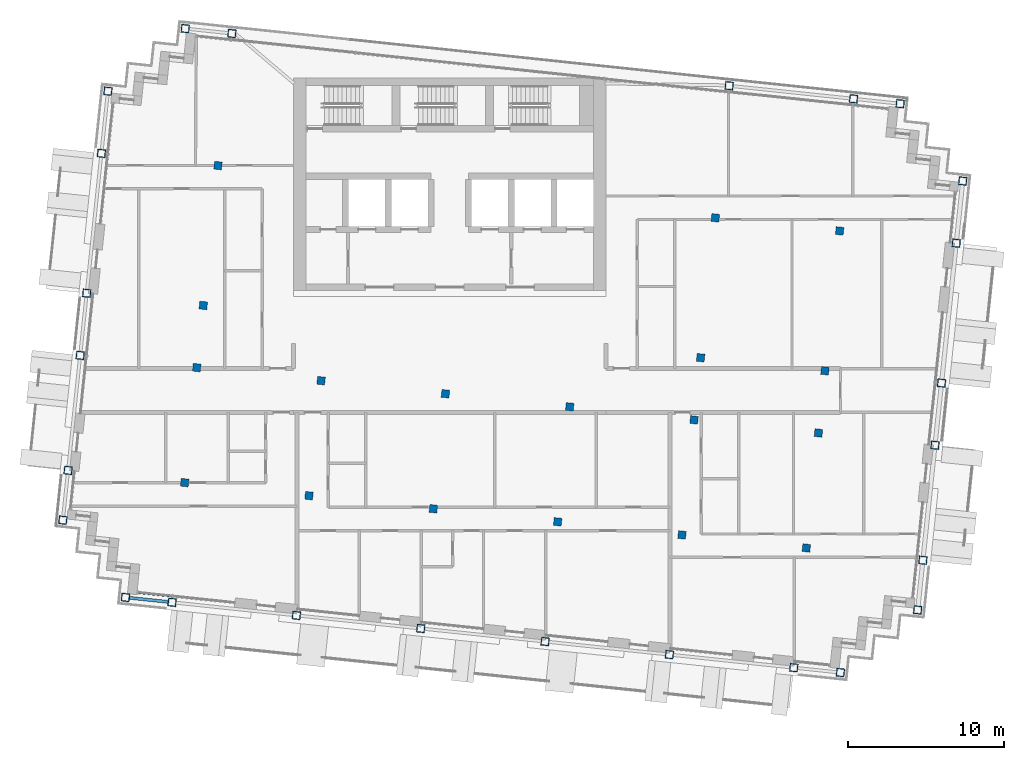
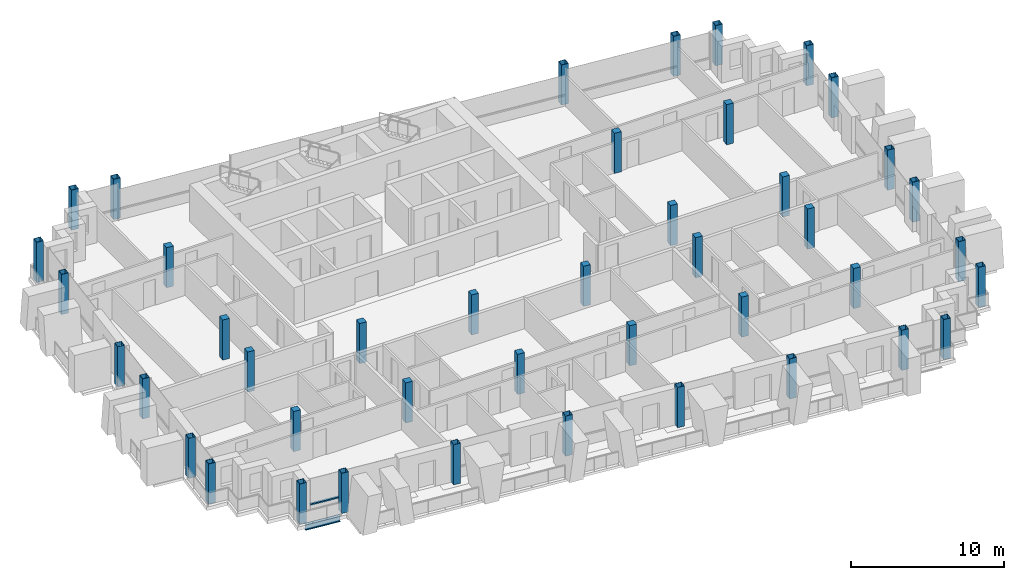
# One storey, part 1 of 16: 43 columns, 1 beam, 1 member, 1 element without a shape of its own.
"""IFC4 building model written with IfcOpenShell, lengths in metres."""

from ifc_helpers import new_model, si_unit, direction, frame, origin, origin_2d, place, context, subcontext, project, spatial, rectangle, hollow_rectangle, i_section, extrude, material, material_profile, profile_set, type_object, element, aggregate, save


model = new_model("IFC4")

# Units and contexts
model_context = context("Model", 3, precision=1e-05, world=origin(), true_north=direction((0.0, 1.0)))
body_context = subcontext(model_context, "Body", "Model", "MODEL_VIEW")
ifc_project = project(units=[si_unit("LENGTHUNIT", "METRE"), si_unit("AREAUNIT", "SQUARE_METRE"), si_unit("VOLUMEUNIT", "CUBIC_METRE"), si_unit("PLANEANGLEUNIT", "RADIAN"), si_unit("MASSUNIT", "GRAM", prefix="KILO")], contexts=[model_context])

# Site, building, storey
site_placement = place(None, origin())
site = spatial("IfcSite", under=ifc_project, at=site_placement, CompositionType="ELEMENT")
building_placement = place(site_placement, origin())
building = spatial("IfcBuilding", under=site, at=building_placement, Name="Vidyagriha Tower", CompositionType="ELEMENT")
storey_placement = place(building_placement, frame((0.0, 0.0, 253.10009765625)))
storey = spatial("IfcBuildingStorey", under=building, at=storey_placement, Name="L65", CompositionType="ELEMENT", Elevation=253.10009765625)

# Columns
ifc_material_1 = material(Name="Steel ASTM A572 Grade 50", Category="steel")
ifc_material_profile_1 = material_profile(ifc_material_1, hollow_rectangle(XDim=0.5, YDim=0.5, WallThickness=0.02490234375, at=origin_2d()), Name="BOX 500x500x25")
ifc_profile_set_1 = profile_set([ifc_material_profile_1], Name="Steel ASTM A572 Grade 50")
column_type_1 = type_object("IfcColumnType", Name="Exoskeleton column BOX 500x500x25", PredefinedType="COLUMN", material=ifc_profile_set_1)
for number, where, z_axis, x_axis, name in (
    (1, (-20.751953125, -13.24267578125, 0.0), (0.0, 0.0, 1.0), (0.994521895368, -0.104528463268, 0.0), "st-col-L65-B6-001"),
    (2, (-17.768310546875, -13.55615234375, 0.0), (0.0, 0.0, 1.0), (0.994521895368, -0.104528463268, 0.0), "st-col-L65-B6-002"),
    (3, (-9.812255859375, -14.392333984375, 0.0), (0.0, 0.0, 1.0), (0.994521895368, -0.104528463268, 0.0), "st-col-L65-B6-003"),
    (4, (-1.856201171875, -15.228515625, 0.0), (0.0, 0.0, 1.0), (0.994521895368, -0.104528463268, 0.0), "st-col-L65-B6-004"),
    (5, (6.10009765625, -16.06494140625, 0.0), (0.0, 0.0, 1.0), (0.994521895368, -0.104528463268, 0.0), "st-col-L65-B6-005"),
    (6, (14.056396484375, -16.901123046875, 0.0), (0.0, 0.0, 1.0), (0.994521895368, -0.104528463268, 0.0), "st-col-L65-B6-006"),
    (7, (22.012451171875, -17.7373046875, 0.0), (0.0, 0.0, 1.0), (0.994521895368, -0.104528463268, 0.0), "st-col-L65-B6-007"),
    (8, (24.99609375, -18.05078125, 0.0), (0.0, 0.0, 1.0), (0.994521895368, -0.104528463268, 0.0), "st-col-L65-B6-008"),
    (9, (-24.757080078125, -8.296875, 0.0), (0.0, 0.0, 1.0), (0.994521895368, -0.104528463268, 0.0), "st-col-L65-B6-009"),
    (10, (29.941650390625, -14.0458984375, 0.0), (0.0, 0.0, 1.0), (0.994521895368, -0.104528463268, 0.0), "st-col-L65-B6-010"),
    (11, (-24.422607421875, -5.114501953125, 0.0), (0.0, 0.0, 1.0), (0.994521895368, -0.104528463268, 0.0), "st-col-L65-B6-011"),
    (12, (30.276123046875, -10.863525390625, 0.0), (0.0, 0.0, 1.0), (0.994521895368, -0.104528463268, 0.0), "st-col-L65-B6-018"),
    (13, (-23.64892578125, 2.2451171875, 0.0), (0.0, 0.0, 1.0), (0.994521895368, -0.104528463268, 0.0), "st-col-L65-B6-019"),
    (14, (31.0498046875, -3.50390625, 0.0), (0.0, 0.0, 1.0), (0.994521895368, -0.104528463268, 0.0), "st-col-L65-B6-026"),
    (15, (-23.23095703125, 6.22314453125, 0.0), (0.0, 0.0, 1.0), (0.994521895368, -0.104528463268, 0.0), "st-col-L65-B6-027"),
    (16, (31.4677734375, 0.47412109375, 0.0), (0.0, 0.0, 1.0), (0.994521895368, -0.104528463268, 0.0), "st-col-L65-B6-031"),
    (17, (-22.2900390625, 15.173828125, 0.0), (0.0, 0.0, 1.0), (0.994521895368, -0.104528463268, 0.0), "st-col-L65-B6-032"),
    (18, (32.40869140625, 9.4248046875, 0.0), (0.0, 0.0, 1.0), (0.994521895368, -0.104528463268, 0.0), "st-col-L65-B6-036"),
    (19, (-21.8720703125, 19.15185546875, 0.0), (0.0, 0.0, 1.0), (0.994521895368, -0.104528463268, 0.0), "st-col-L65-B6-037"),
    (20, (32.82666015625, 13.40283203125, 0.0), (0.0, 0.0, 1.0), (0.994521895368, -0.104528463268, 0.0), "st-col-L65-B6-038"),
    (21, (-16.92626953125, 23.156982421875, 0.0), (0.0, 0.0, 1.0), (0.994521895368, -0.104528463268, 0.0), "st-col-L65-B6-039"),
    (22, (-13.942626953125, 22.84326171875, 0.0), (0.0, 0.0, 1.0), (0.994521895368, -0.104528463268, 0.0), "st-col-L65-B6-040"),
    (23, (17.882080078125, 19.498291015625, 0.0), (0.0, 0.0, 1.0), (0.994521895368, -0.104528463268, 0.0), "st-col-L65-B6-041"),
    (24, (25.838134765625, 18.662109375, 0.0), (0.0, 0.0, 1.0), (0.994521895368, -0.104528463268, 0.0), "st-col-L65-B6-042"),
    (25, (28.82177734375, 18.3486328125, 0.0), (0.0, 0.0, 1.0), (0.994521895368, -0.104528463268, 0.0), "st-col-L65-B6-043"),
):
    element("IfcColumn", number, at=place(storey_placement, frame(where, z_axis=z_axis, x_axis=x_axis)), inside=storey, type_object=column_type_1, Name=name, PredefinedType="COLUMN", context=body_context, shape_type="SweptSolid", body=[
        extrude(hollow_rectangle(XDim=0.5, YDim=0.5, WallThickness=0.02490234375, at=origin_2d()), origin(), (0.0, 0.0, 1.0), 3.199951171875),
    ])
ifc_material_2 = material(Name="Concrete C60/75", Category="concrete")
ifc_material_profile_2 = material_profile(ifc_material_2, rectangle(XDim=0.5, YDim=0.5, at=origin_2d()), Name="RC 500x500")
ifc_profile_set_2 = profile_set([ifc_material_profile_2], Name="Concrete C60/75")
column_type_2 = type_object("IfcColumnType", Name="Frame column RC 500x500", PredefinedType="COLUMN", material=ifc_profile_set_2)
for number, where, z_axis, x_axis, name in (
    (26, (-16.963623046875, -5.8984375, 0.0), (0.0, 0.0, 1.0), (0.994521895368, -0.104528463268, 0.0), "st-col-L65-B6-012"),
    (27, (-9.00732421875, -6.734619140625, 0.0), (0.0, 0.0, 1.0), (0.994521895368, -0.104528463268, 0.0), "st-col-L65-B6-013"),
    (28, (-1.05126953125, -7.57080078125, 0.0), (0.0, 0.0, 1.0), (0.994521895368, -0.104528463268, 0.0), "st-col-L65-B6-014"),
    (29, (6.905029296875, -8.406982421875, 0.0), (0.0, 0.0, 1.0), (0.994521895368, -0.104528463268, 0.0), "st-col-L65-B6-015"),
    (30, (14.861083984375, -9.243408203125, 0.0), (0.0, 0.0, 1.0), (0.994521895368, -0.104528463268, 0.0), "st-col-L65-B6-016"),
    (31, (22.8173828125, -10.07958984375, 0.0), (0.0, 0.0, 1.0), (0.994521895368, -0.104528463268, 0.0), "st-col-L65-B6-017"),
    (32, (-16.190185546875, 1.461181640625, 0.0), (0.0, 0.0, 1.0), (0.994521895368, -0.104528463268, 0.0), "st-col-L65-B6-020"),
    (33, (-8.23388671875, 0.625, 0.0), (0.0, 0.0, 1.0), (0.994521895368, -0.104528463268, 0.0), "st-col-L65-B6-021"),
    (34, (-0.277587890625, -0.21142578125, 0.0), (0.0, 0.0, 1.0), (0.994521895368, -0.104528463268, 0.0), "st-col-L65-B6-022"),
    (35, (7.678466796875, -1.047607421875, 0.0), (0.0, 0.0, 1.0), (0.994521895368, -0.104528463268, 0.0), "st-col-L65-B6-023"),
    (36, (15.634521484375, -1.8837890625, 0.0), (0.0, 0.0, 1.0), (0.994521895368, -0.104528463268, 0.0), "st-col-L65-B6-024"),
    (37, (23.5908203125, -2.72021484375, 0.0), (0.0, 0.0, 1.0), (0.994521895368, -0.104528463268, 0.0), "st-col-L65-B6-025"),
    (38, (-15.77197265625, 5.439208984375, 0.0), (0.0, 0.0, 1.0), (0.994521895368, -0.104528463268, 0.0), "st-col-L65-B6-028"),
    (39, (16.052734375, 2.09423828125, 0.0), (0.0, 0.0, 1.0), (0.994521895368, -0.104528463268, 0.0), "st-col-L65-B6-029"),
    (40, (24.0087890625, 1.258056640625, 0.0), (0.0, 0.0, 1.0), (0.994521895368, -0.104528463268, 0.0), "st-col-L65-B6-030"),
    (41, (-14.831298828125, 14.389892578125, 0.0), (0.0, 0.0, 1.0), (0.994521895368, -0.104528463268, 0.0), "st-col-L65-B6-033"),
    (42, (16.993408203125, 11.044921875, 0.0), (0.0, 0.0, 1.0), (0.994521895368, -0.104528463268, 0.0), "st-col-L65-B6-034"),
    (43, (24.94970703125, 10.208740234375, 0.0), (0.0, 0.0, 1.0), (0.994521895368, -0.104528463268, 0.0), "st-col-L65-B6-035"),
):
    element("IfcColumn", number, at=place(storey_placement, frame(where, z_axis=z_axis, x_axis=x_axis)), inside=storey, type_object=column_type_2, Name=name, PredefinedType="COLUMN", context=body_context, shape_type="SweptSolid", body=[
        extrude(rectangle(XDim=0.5, YDim=0.5, at=origin_2d()), origin(), (0.0, 0.0, 1.0), 3.199951171875),
    ])

# Beam
ifc_material_3 = material(Name="Steel ASTM A992 Grade 50", Category="steel")
ifc_material_profile_3 = material_profile(ifc_material_3, i_section(OverallWidth=0.19189453125, OverallDepth=0.46240234375, WebThickness=0.010498046875, FlangeThickness=0.017578125, at=origin_2d()), Name="W18X60")
ifc_profile_set_3 = profile_set([ifc_material_profile_3], Name="Steel ASTM A992 Grade 50")
beam_type = type_object("IfcBeamType", Name="Edge beam W18X60", PredefinedType="SPANDREL", material=ifc_profile_set_3)
beam_placement = place(storey_placement, frame((-20.50341796875, -13.268798828125, -0.51123046875), z_axis=(0.994525767953, -0.104491611519, 0.0), x_axis=(0.104491611519, 0.994525767953, 0.0)))
element("IfcBeam", 44, at=beam_placement, inside=storey, type_object=beam_type, Name="st-beam-L65-S01", PredefinedType="SPANDREL", context=body_context, shape_type="SweptSolid", body=[
    extrude(i_section(OverallWidth=0.19189453125, OverallDepth=0.46240234375, WebThickness=0.010498046875, FlangeThickness=0.017578125, at=origin_2d()), origin(), (0.0, 0.0, 1.0), 2.5),
])

# Curtain wall, member
ifc_material_4 = material(Name="Aluminium and glass curtain wall", Category="aluminium")
curtain_wall_type = type_object("IfcCurtainWallType", Name="Dwelling skin unitised curtain wall", PredefinedType="USERDEFINED", material=ifc_material_4)
curtain_wall_placement = place(storey_placement, origin())
curtain_wall = element("IfcCurtainWall", 45, at=curtain_wall_placement, inside=storey, type_object=curtain_wall_type, Name="CW1 dwelling skin", ObjectType="UNITISED", PredefinedType="USERDEFINED")
ifc_material_5 = material(Name="Aluminium black anodised", Category="aluminium")
ifc_material_profile_4 = material_profile(ifc_material_5, rectangle(XDim=0.159912109375, YDim=0.10009765625, at=origin_2d()), Name="Transom 100x160 black aluminium")
ifc_profile_set_4 = profile_set([ifc_material_profile_4], Name="Aluminium black anodised")
member_type = type_object("IfcMemberType", Name="Transom 100x160 black aluminium", PredefinedType="USERDEFINED", material=ifc_profile_set_4)
member_placement = place(storey_placement, frame((-19.9443359375, -12.92529296875, 0.89990234375), z_axis=(0.994518853465, -0.104557400991, 0.0), x_axis=(0.104557400991, 0.994518853465, 0.0)))
member = element("IfcMember", 46, at=member_placement, type_object=member_type, Name="CW1 transom 1.1", ObjectType="TRANSOM", PredefinedType="USERDEFINED", context=body_context, shape_type="SweptSolid", body=[
    extrude(rectangle(XDim=0.159912109375, YDim=0.10009765625, at=origin_2d()), origin(), (0.0, 0.0, 1.0), 2.19482421875),
])
aggregate(curtain_wall, [member])

save(model, "model.ifc")
